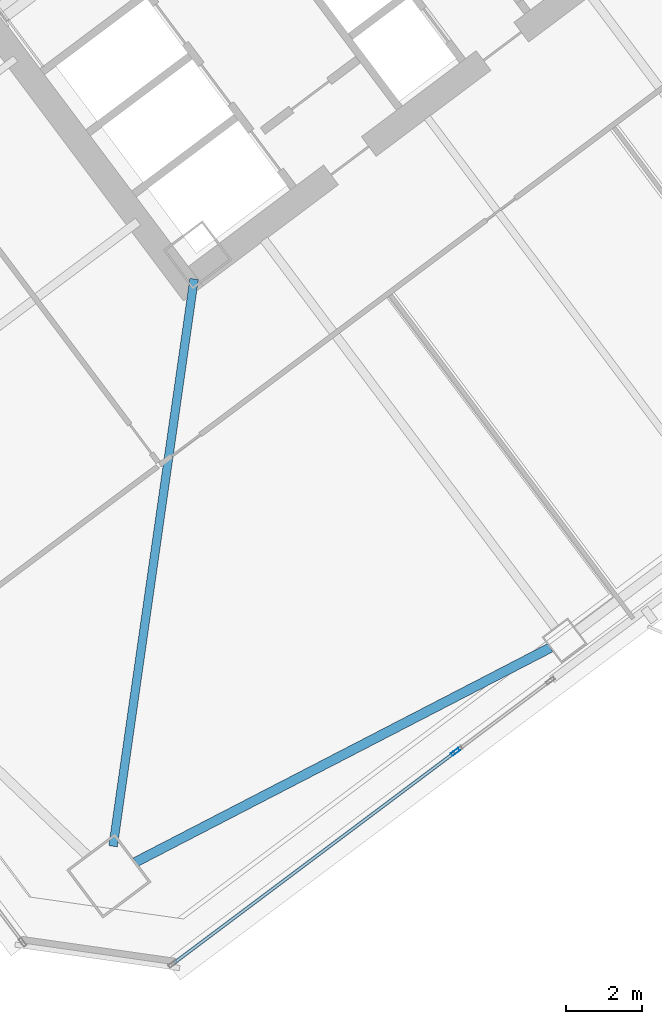
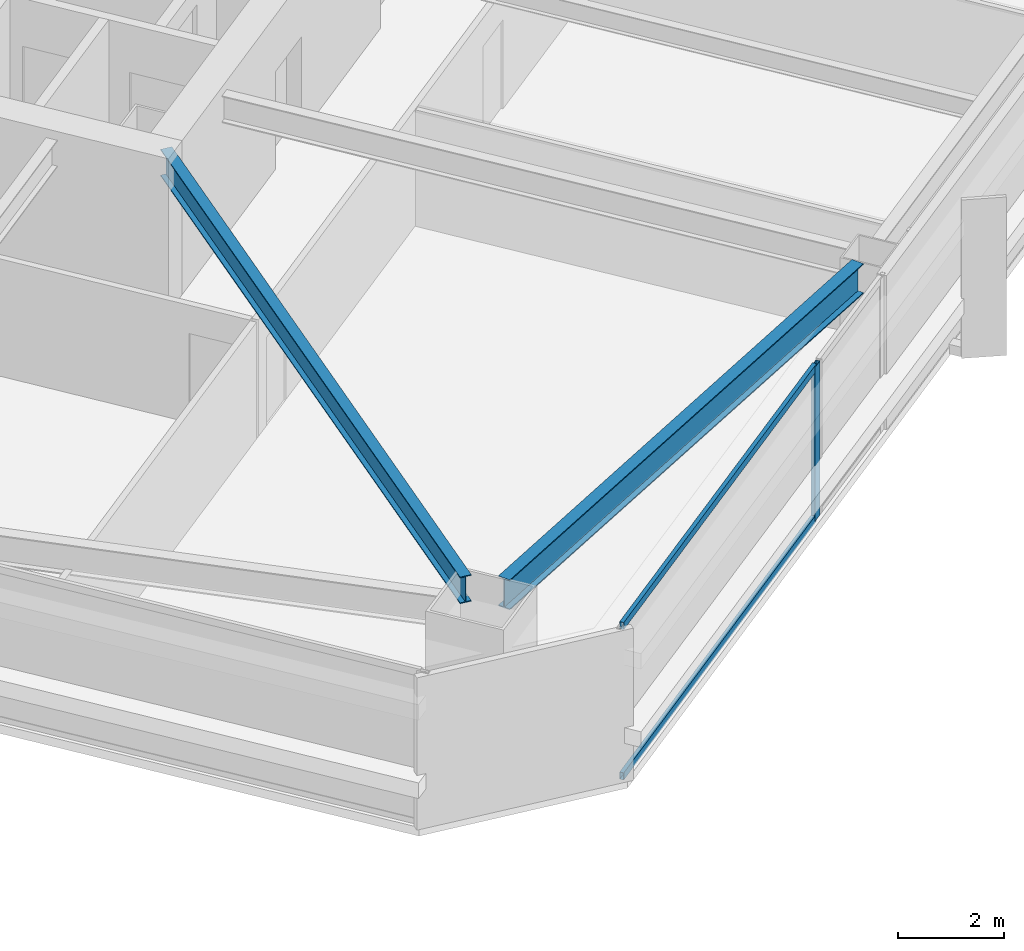
# One storey, part 26 of 62: 3 members, 2 beams, 1 element without a shape of its own.
"""IFC4 building model written with IfcOpenShell, lengths in metres."""

from ifc_helpers import new_model, si_unit, direction, frame, origin, origin_2d, place, context, subcontext, project, spatial, hollow_rectangle, i_section, extrude, material, material_profile, profile_set, type_object, element, aggregate, save


model = new_model("IFC4")

# Units and contexts
model_context = context("Model", 3, precision=1e-05, world=origin(), true_north=direction((0.0, 1.0)))
body_context = subcontext(model_context, "Body", "Model", "MODEL_VIEW")
ifc_project = project(units=[si_unit("LENGTHUNIT", "METRE"), si_unit("AREAUNIT", "SQUARE_METRE"), si_unit("VOLUMEUNIT", "CUBIC_METRE"), si_unit("PLANEANGLEUNIT", "RADIAN"), si_unit("MASSUNIT", "GRAM", prefix="KILO")], contexts=[model_context])

# Site, building, storey
site_placement = place(None, origin())
site = spatial("IfcSite", under=ifc_project, at=site_placement, CompositionType="ELEMENT")
building_placement = place(site_placement, origin())
building = spatial("IfcBuilding", under=site, at=building_placement, Name="Tashvorn Skyway Center", CompositionType="ELEMENT")
storey_placement = place(building_placement, frame((0.0, 0.0, 28.14990234375)))
storey = spatial("IfcBuildingStorey", under=building, at=storey_placement, Name="L06", CompositionType="ELEMENT", Elevation=28.14990234375)

# Beams
ifc_material_1 = material(Name="Steel ASTM A992 Grade 50", Category="steel")
ifc_material_profile_1 = material_profile(ifc_material_1, i_section(OverallWidth=0.22998046875, OverallDepth=0.616943359375, WebThickness=0.01318359375, FlangeThickness=0.022216796875, at=origin_2d()), Name="W24X94")
ifc_profile_set_1 = profile_set([ifc_material_profile_1], Name="Steel ASTM A992 Grade 50")
beam_type_1 = type_object("IfcBeamType", Name="BM-BEAM-W24X94", PredefinedType="BEAM", material=ifc_profile_set_1)
beam_1_placement = place(storey_placement, frame((110.3525390625, 6.467041015625, 3.04150390625), z_axis=(0.141414599991, 0.989950458816, 0.0), x_axis=(-0.989950458816, 0.141414599991, 0.0)))
element("IfcBeam", 1, at=beam_1_placement, inside=storey, type_object=beam_type_1, Name="Tower 2 L06 Primary Floor Girder MC-SW", PredefinedType="BEAM", context=body_context, shape_type="SweptSolid", body=[
    extrude(i_section(OverallWidth=0.22998046875, OverallDepth=0.616943359375, WebThickness=0.01318359375, FlangeThickness=0.022216796875, at=origin_2d()), origin(), (0.0, 0.0, 1.0), 15.177001953125),
])
ifc_material_profile_2 = material_profile(ifc_material_1, i_section(OverallWidth=0.256103515625, OverallDepth=0.693115234375, WebThickness=0.014404296875, FlangeThickness=0.023681640625, at=origin_2d()), Name="W27X114")
ifc_profile_set_2 = profile_set([ifc_material_profile_2], Name="Steel ASTM A992 Grade 50")
beam_type_2 = type_object("IfcBeamType", Name="BM-SPANDREL-W27X114", PredefinedType="SPANDREL", material=ifc_profile_set_2)
beam_2_placement = place(storey_placement, frame((110.9462890625, 6.045166015625, 3.003662109375), z_axis=(0.888315637339, 0.459233413919, 0.0), x_axis=(-0.459233413919, 0.888315637339, 0.0)))
element("IfcBeam", 2, at=beam_2_placement, inside=storey, type_object=beam_type_2, Name="Tower 2 L06 Spandrel Beam 01", PredefinedType="SPANDREL", context=body_context, shape_type="SweptSolid", body=[
    extrude(i_section(OverallWidth=0.256103515625, OverallDepth=0.693115234375, WebThickness=0.014404296875, FlangeThickness=0.023681640625, at=origin_2d()), origin(), (0.0, 0.0, 1.0), 12.37255859375),
])

# Curtain wall, members
ifc_material_2 = material(Name="Thermally broken bronze-anodized aluminium 6063-T6", Category="aluminium")
curtain_wall_type = type_object("IfcCurtainWallType", Name="CW-CW-Z1", PredefinedType="NOTDEFINED", material=ifc_material_2)
curtain_wall_placement = place(storey_placement, origin())
curtain_wall = element("IfcCurtainWall", 3, at=curtain_wall_placement, inside=storey, type_object=curtain_wall_type, Name="Tower 2 L06 South Unitised Curtain Wall Glazing Group 4", PredefinedType="NOTDEFINED")
ifc_material_profile_3 = material_profile(ifc_material_2, hollow_rectangle(XDim=0.0849609375, YDim=0.239990234375, WallThickness=0.0048828125, at=origin_2d()), Name="ALU-MULL-85x240")
ifc_profile_set_3 = profile_set([ifc_material_profile_3], Name="Thermally broken bronze-anodized aluminium 6063-T6")
member_type_1 = type_object("IfcMemberType", Name="CWM-CW-Z1", PredefinedType="MULLION", material=ifc_profile_set_3)
member_1_placement = place(storey_placement, frame((119.422119140625, 8.966552734375, 0.0), z_axis=(0.0, 0.0, 1.0), x_axis=(0.600000000002, -0.799999999998, 0.0)))
member_1 = element("IfcMember", 4, at=member_1_placement, type_object=member_type_1, Name="CW-Z1 mullion 1", PredefinedType="MULLION", context=body_context, shape_type="SweptSolid", body=[
    extrude(hollow_rectangle(XDim=0.0849609375, YDim=0.239990234375, WallThickness=0.0048828125, at=origin_2d()), origin(), (0.0, 0.0, 1.0), 3.550048828125),
])
ifc_material_profile_4 = material_profile(ifc_material_2, hollow_rectangle(XDim=0.0849609375, YDim=0.1650390625, WallThickness=0.0048828125, at=origin_2d()), Name="ALU-TRAN-85x165")
ifc_profile_set_4 = profile_set([ifc_material_profile_4], Name="Thermally broken bronze-anodized aluminium 6063-T6")
member_type_2 = type_object("IfcMemberType", Name="CWT-CW-Z1", PredefinedType="USERDEFINED", material=ifc_profile_set_4)
member_2_placement = place(storey_placement, frame((119.387939453125, 8.94091796875, 0.04248046875), z_axis=(-0.8, -0.6, 0.0), x_axis=(0.6, -0.8, 0.0)))
member_2 = element("IfcMember", 5, at=member_2_placement, type_object=member_type_2, Name="CW-Z1 transom 1.1", ObjectType="TRANSOM", PredefinedType="USERDEFINED", context=body_context, shape_type="SweptSolid", body=[
    extrude(hollow_rectangle(XDim=0.0849609375, YDim=0.1650390625, WallThickness=0.0048828125, at=origin_2d()), origin(), (0.0, 0.0, 1.0), 9.27001953125),
])
member_3_placement = place(storey_placement, frame((119.387939453125, 8.94091796875, 3.507568359375), z_axis=(-0.8, -0.6, 0.0), x_axis=(0.6, -0.8, 0.0)))
member_3 = element("IfcMember", 6, at=member_3_placement, type_object=member_type_2, Name="CW-Z1 transom 1.2", ObjectType="TRANSOM", PredefinedType="USERDEFINED", context=body_context, shape_type="SweptSolid", body=[
    extrude(hollow_rectangle(XDim=0.0849609375, YDim=0.1650390625, WallThickness=0.0048828125, at=origin_2d()), origin(), (0.0, 0.0, 1.0), 9.27001953125),
])
aggregate(curtain_wall, [member_1, member_2, member_3])

save(model, "model.ifc")
